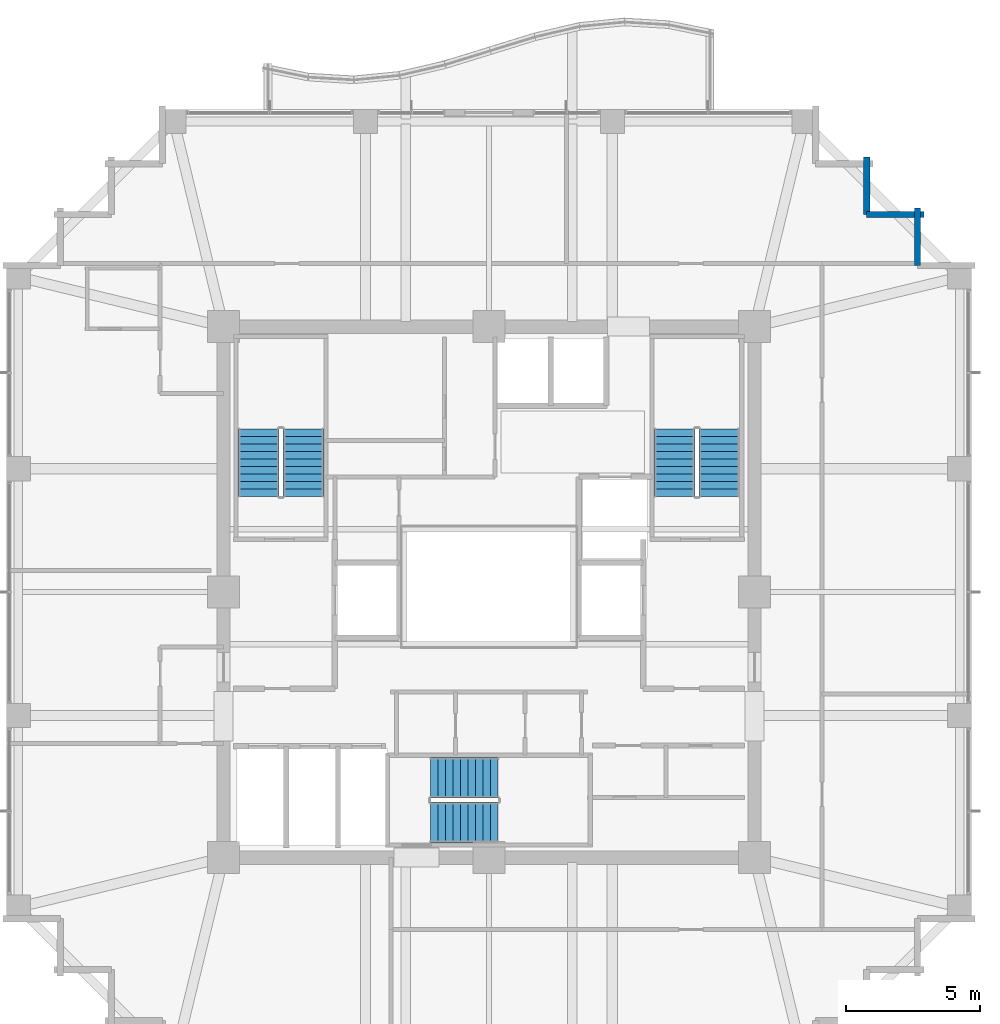
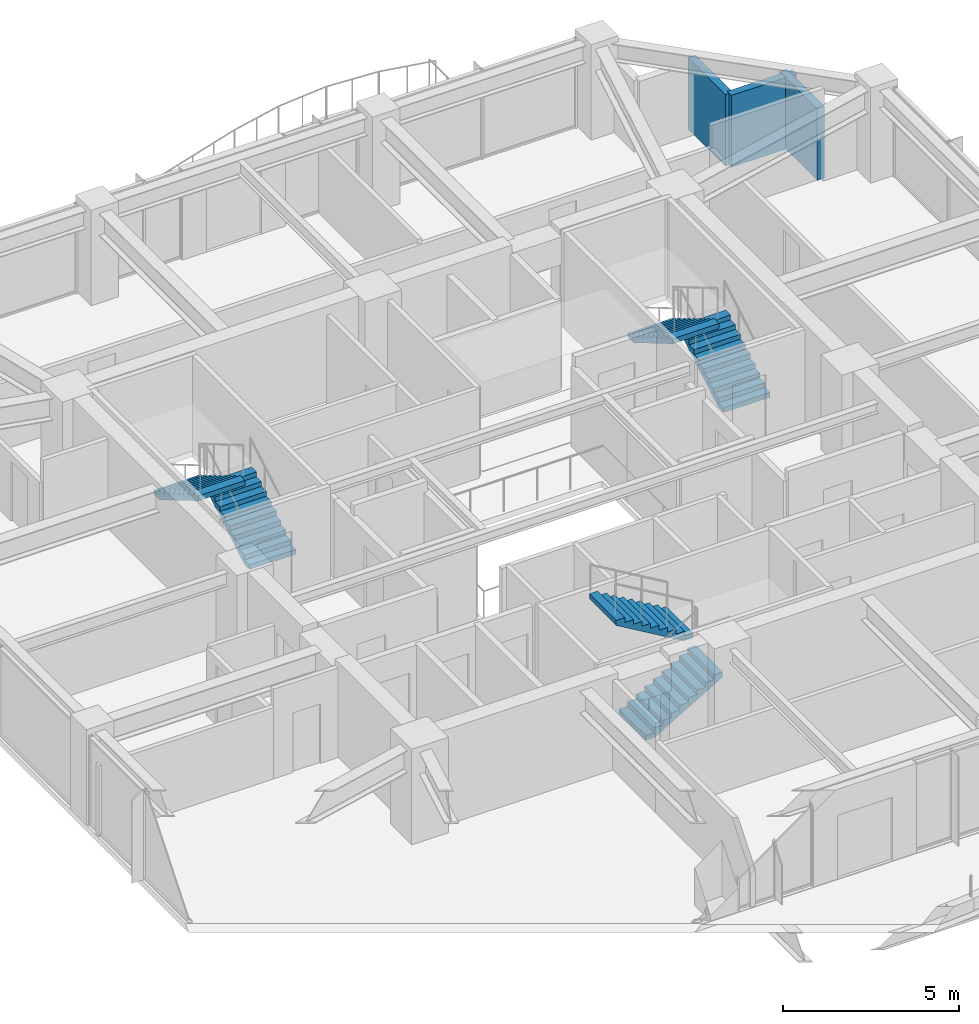
# One storey, part 29 of 31: 6 stair flights, 3 walls, 3 elements without a shape of their own.
"""IFC4 building model written with IfcOpenShell, lengths in metres."""

from ifc_helpers import new_model, si_unit, direction, frame, frame_2d, origin, place, context, subcontext, project, spatial, polyline, rectangle, outline, extrude, material, layer, layer_set, type_object, element, aggregate, save


model = new_model("IFC4")

# Units and contexts
model_context = context("Model", 3, precision=1e-05, world=origin(), true_north=direction((0.0, 1.0)))
body_context = subcontext(model_context, "Body", "Model", "MODEL_VIEW")
ifc_project = project(units=[si_unit("LENGTHUNIT", "METRE"), si_unit("AREAUNIT", "SQUARE_METRE"), si_unit("VOLUMEUNIT", "CUBIC_METRE"), si_unit("PLANEANGLEUNIT", "RADIAN"), si_unit("MASSUNIT", "GRAM", prefix="KILO")], contexts=[model_context])

# Site, building, storey
site_placement = place(None, origin())
site = spatial("IfcSite", under=ifc_project, at=site_placement, CompositionType="ELEMENT")
building_placement = place(site_placement, origin())
building = spatial("IfcBuilding", under=site, at=building_placement, Name="Kolvaren Belvedere", CompositionType="ELEMENT")
storey_placement = place(building_placement, frame((0.0, 0.0, 138.199951171875)))
storey = spatial("IfcBuildingStorey", under=building, at=storey_placement, Name="L40", CompositionType="ELEMENT", Elevation=138.199951171875)

# Walls
ifc_material_1 = material(Name="Insulated pale-metal facade wall assembly", Category="aluminium")
ifc_layer = layer(ifc_material_1, 0.239990234375)
ifc_layer_set = layer_set([ifc_layer], Name="Insulated pale-metal facade wall assembly")
wall_type = type_object("IfcWallType", Name="WL-EXT-240", PredefinedType="STANDARD", material=ifc_layer_set)
wall_placement = place(storey_placement, frame((15.97998046875, 14.320068359375, 0.0), z_axis=(0.0, 0.0, 1.0), x_axis=(0.0, -1.0, 0.0)))
element("IfcWall", 1, at=wall_placement, inside=storey, type_object=wall_type, Name="L40 Serrated Corner Facade Wall 10", PredefinedType="STANDARD", context=body_context, shape_type="SweptSolid", body=[
    extrude(rectangle(XDim=2.14013671875, YDim=0.239990234375, at=frame_2d((1.070068359375, 0.0))), origin(), (0.0, 0.0, 1.0), 2.47900390625),
])
for number, where, z_axis, x_axis, name in (
    (2, (14.080078125, 14.080078125, 0.0), (0.0, 0.0, 1.0), (1.0, 0.0, 0.0), "L40 Serrated Corner Facade Wall 11"),
    (3, (14.080078125, 16.219970703125, 0.0), (0.0, 0.0, 1.0), (0.0, -1.0, 0.0), "L40 Serrated Corner Facade Wall 12"),
):
    element("IfcWall", number, at=place(storey_placement, frame(where, z_axis=z_axis, x_axis=x_axis)), inside=storey, type_object=wall_type, Name=name, PredefinedType="STANDARD", context=body_context, shape_type="SweptSolid", body=[
        extrude(rectangle(XDim=2.139892578125, YDim=0.239990234375, at=frame_2d((1.06982421875, 0.0))), origin(), (0.0, 0.0, 1.0), 2.47900390625),
    ])

# Stair, stair flights
ifc_material_2 = material(Name="Concrete C50/60", Category="concrete")
stair_type = type_object("IfcStairType", Name="ST-CORE-1520", PredefinedType="HALF_TURN_STAIR", material=ifc_material_2)
stair_1_placement = place(storey_placement, origin())
stair_1 = element("IfcStair", 4, at=stair_1_placement, inside=storey, type_object=stair_type, Name="L40 Protected Exit Stair ST-1", PredefinedType="HALF_TURN_STAIR")
ifc_material_3 = material(Name="Concrete C50/60", Category="concrete")
stair_flight_type = type_object("IfcStairFlightType", Name="SF-STR-1520", PredefinedType="STRAIGHT", material=ifc_material_3)
stair_flight_1_placement = place(storey_placement, frame((-6.919921875, 3.570068359375, 0.0), z_axis=(0.0, 0.0, 1.0), x_axis=(0.0, 1.0, 0.0)))
stair_flight_1 = element("IfcStairFlight", 5, at=stair_flight_1_placement, type_object=stair_flight_type, Name="ST-1 flight 1", NumberOfRisers=10, NumberOfTreads=9, PredefinedType="STRAIGHT", RiserHeight=0.165, TreadLength=0.28, context=body_context, shape_type="SweptSolid", body=[
    extrude(outline(polyline([(0.0, 0.0), (0.0, 0.1650390625), (0.280029296875, 0.1650390625), (0.280029296875, 0.330078125), (0.56005859375, 0.330078125), (0.56005859375, 0.4951171875), (0.840087890625, 0.4951171875), (0.840087890625, 0.659912109375), (1.1201171875, 0.659912109375), (1.1201171875, 0.824951171875), (1.39990234375, 0.824951171875), (1.39990234375, 0.989990234375), (1.679931640625, 0.989990234375), (1.679931640625, 1.155029296875), (1.9599609375, 1.155029296875), (1.9599609375, 1.320068359375), (2.239990234375, 1.320068359375), (2.239990234375, 1.485107421875), (2.52001953125, 1.485107421875), (2.52001953125, 1.64990234375), (2.52001953125, 1.31103515625), (0.295166015625, 0.0), (0.0, 0.0)])), frame((0.0, 0.760009765625, 0.0), z_axis=(0.0, -1.0, 0.0), x_axis=(1.0, 0.0, 0.0)), (0.0, 0.0, 1.0), 1.52001953125),
])
stair_flight_2_placement = place(storey_placement, frame((-8.590087890625, 6.090087890625, 1.650146484375), z_axis=(0.0, 0.0, 1.0), x_axis=(0.0, -1.0, 0.0)))
stair_flight_2 = element("IfcStairFlight", 6, at=stair_flight_2_placement, type_object=stair_flight_type, Name="ST-1 flight 2", NumberOfRisers=10, NumberOfTreads=9, PredefinedType="STRAIGHT", RiserHeight=0.165, TreadLength=0.28, context=body_context, shape_type="SweptSolid", body=[
    extrude(outline(polyline([(0.0, 0.0), (0.0, 0.1650390625), (0.280029296875, 0.1650390625), (0.280029296875, 0.330078125), (0.56005859375, 0.330078125), (0.56005859375, 0.4951171875), (0.840087890625, 0.4951171875), (0.840087890625, 0.659912109375), (1.1201171875, 0.659912109375), (1.1201171875, 0.824951171875), (1.39990234375, 0.824951171875), (1.39990234375, 0.989990234375), (1.679931640625, 0.989990234375), (1.679931640625, 1.155029296875), (1.9599609375, 1.155029296875), (1.9599609375, 1.320068359375), (2.239990234375, 1.320068359375), (2.239990234375, 1.485107421875), (2.52001953125, 1.485107421875), (2.52001953125, 1.64990234375), (2.52001953125, 1.31103515625), (0.295166015625, 0.0), (0.0, 0.0)])), frame((0.0, 0.760009765625, 0.0), z_axis=(0.0, -1.0, 0.0), x_axis=(1.0, 0.0, 0.0)), (0.0, 0.0, 1.0), 1.52001953125),
])
aggregate(stair_1, [stair_flight_1, stair_flight_2])

stair_2_placement = place(storey_placement, origin())
stair_2 = element("IfcStair", 7, at=stair_2_placement, inside=storey, type_object=stair_type, Name="L40 Protected Exit Stair ST-2", PredefinedType="HALF_TURN_STAIR")
stair_flight_3_placement = place(storey_placement, frame((8.590087890625, 3.570068359375, 0.0), z_axis=(0.0, 0.0, 1.0), x_axis=(0.0, 1.0, 0.0)))
stair_flight_3 = element("IfcStairFlight", 8, at=stair_flight_3_placement, type_object=stair_flight_type, Name="ST-2 flight 1", NumberOfRisers=10, NumberOfTreads=9, PredefinedType="STRAIGHT", RiserHeight=0.165, TreadLength=0.28, context=body_context, shape_type="SweptSolid", body=[
    extrude(outline(polyline([(0.0, 0.0), (0.0, 0.1650390625), (0.280029296875, 0.1650390625), (0.280029296875, 0.330078125), (0.56005859375, 0.330078125), (0.56005859375, 0.4951171875), (0.840087890625, 0.4951171875), (0.840087890625, 0.659912109375), (1.1201171875, 0.659912109375), (1.1201171875, 0.824951171875), (1.39990234375, 0.824951171875), (1.39990234375, 0.989990234375), (1.679931640625, 0.989990234375), (1.679931640625, 1.155029296875), (1.9599609375, 1.155029296875), (1.9599609375, 1.320068359375), (2.239990234375, 1.320068359375), (2.239990234375, 1.485107421875), (2.52001953125, 1.485107421875), (2.52001953125, 1.64990234375), (2.52001953125, 1.31103515625), (0.295166015625, 0.0), (0.0, 0.0)])), frame((0.0, 0.760009765625, 0.0), z_axis=(0.0, -1.0, 0.0), x_axis=(1.0, 0.0, 0.0)), (0.0, 0.0, 1.0), 1.52001953125),
])
stair_flight_4_placement = place(storey_placement, frame((6.919921875, 6.090087890625, 1.650146484375), z_axis=(0.0, 0.0, 1.0), x_axis=(0.0, -1.0, 0.0)))
stair_flight_4 = element("IfcStairFlight", 9, at=stair_flight_4_placement, type_object=stair_flight_type, Name="ST-2 flight 2", NumberOfRisers=10, NumberOfTreads=9, PredefinedType="STRAIGHT", RiserHeight=0.165, TreadLength=0.28, context=body_context, shape_type="SweptSolid", body=[
    extrude(outline(polyline([(0.0, 0.0), (0.0, 0.1650390625), (0.280029296875, 0.1650390625), (0.280029296875, 0.330078125), (0.56005859375, 0.330078125), (0.56005859375, 0.4951171875), (0.840087890625, 0.4951171875), (0.840087890625, 0.659912109375), (1.1201171875, 0.659912109375), (1.1201171875, 0.824951171875), (1.39990234375, 0.824951171875), (1.39990234375, 0.989990234375), (1.679931640625, 0.989990234375), (1.679931640625, 1.155029296875), (1.9599609375, 1.155029296875), (1.9599609375, 1.320068359375), (2.239990234375, 1.320068359375), (2.239990234375, 1.485107421875), (2.52001953125, 1.485107421875), (2.52001953125, 1.64990234375), (2.52001953125, 1.31103515625), (0.295166015625, 0.0), (0.0, 0.0)])), frame((0.0, 0.760009765625, 0.0), z_axis=(0.0, -1.0, 0.0), x_axis=(1.0, 0.0, 0.0)), (0.0, 0.0, 1.0), 1.52001953125),
])
aggregate(stair_2, [stair_flight_3, stair_flight_4])

stair_3_placement = place(storey_placement, origin())
stair_3 = element("IfcStair", 10, at=stair_3_placement, inside=storey, type_object=stair_type, Name="L40 Protected Exit Stair ST-3", PredefinedType="HALF_TURN_STAIR")
stair_flight_5_placement = place(storey_placement, frame((-2.179931640625, -8.590087890625, 0.0), z_axis=(0.0, 0.0, 1.0), x_axis=(1.0, 0.0, 0.0)))
stair_flight_5 = element("IfcStairFlight", 11, at=stair_flight_5_placement, type_object=stair_flight_type, Name="ST-3 flight 1", NumberOfRisers=10, NumberOfTreads=9, PredefinedType="STRAIGHT", RiserHeight=0.165, TreadLength=0.28, context=body_context, shape_type="SweptSolid", body=[
    extrude(outline(polyline([(0.0, 0.0), (0.0, 0.1650390625), (0.280029296875, 0.1650390625), (0.280029296875, 0.330078125), (0.56005859375, 0.330078125), (0.56005859375, 0.4951171875), (0.840087890625, 0.4951171875), (0.840087890625, 0.659912109375), (1.1201171875, 0.659912109375), (1.1201171875, 0.824951171875), (1.39990234375, 0.824951171875), (1.39990234375, 0.989990234375), (1.679931640625, 0.989990234375), (1.679931640625, 1.155029296875), (1.9599609375, 1.155029296875), (1.9599609375, 1.320068359375), (2.239990234375, 1.320068359375), (2.239990234375, 1.485107421875), (2.52001953125, 1.485107421875), (2.52001953125, 1.64990234375), (2.52001953125, 1.31103515625), (0.295166015625, 0.0), (0.0, 0.0)])), frame((0.0, 0.760009765625, 0.0), z_axis=(0.0, -1.0, 0.0), x_axis=(1.0, 0.0, 0.0)), (0.0, 0.0, 1.0), 1.52001953125),
])
stair_flight_6_placement = place(storey_placement, frame((0.340087890625, -6.919921875, 1.650146484375), z_axis=(0.0, 0.0, 1.0), x_axis=(-1.0, 0.0, 0.0)))
stair_flight_6 = element("IfcStairFlight", 12, at=stair_flight_6_placement, type_object=stair_flight_type, Name="ST-3 flight 2", NumberOfRisers=10, NumberOfTreads=9, PredefinedType="STRAIGHT", RiserHeight=0.165, TreadLength=0.28, context=body_context, shape_type="SweptSolid", body=[
    extrude(outline(polyline([(0.0, 0.0), (0.0, 0.1650390625), (0.280029296875, 0.1650390625), (0.280029296875, 0.330078125), (0.56005859375, 0.330078125), (0.56005859375, 0.4951171875), (0.840087890625, 0.4951171875), (0.840087890625, 0.659912109375), (1.1201171875, 0.659912109375), (1.1201171875, 0.824951171875), (1.39990234375, 0.824951171875), (1.39990234375, 0.989990234375), (1.679931640625, 0.989990234375), (1.679931640625, 1.155029296875), (1.9599609375, 1.155029296875), (1.9599609375, 1.320068359375), (2.239990234375, 1.320068359375), (2.239990234375, 1.485107421875), (2.52001953125, 1.485107421875), (2.52001953125, 1.64990234375), (2.52001953125, 1.31103515625), (0.295166015625, 0.0), (0.0, 0.0)])), frame((0.0, 0.760009765625, 0.0), z_axis=(0.0, -1.0, 0.0), x_axis=(1.0, 0.0, 0.0)), (0.0, 0.0, 1.0), 1.52001953125),
])
aggregate(stair_3, [stair_flight_5, stair_flight_6])

save(model, "model.ifc")
